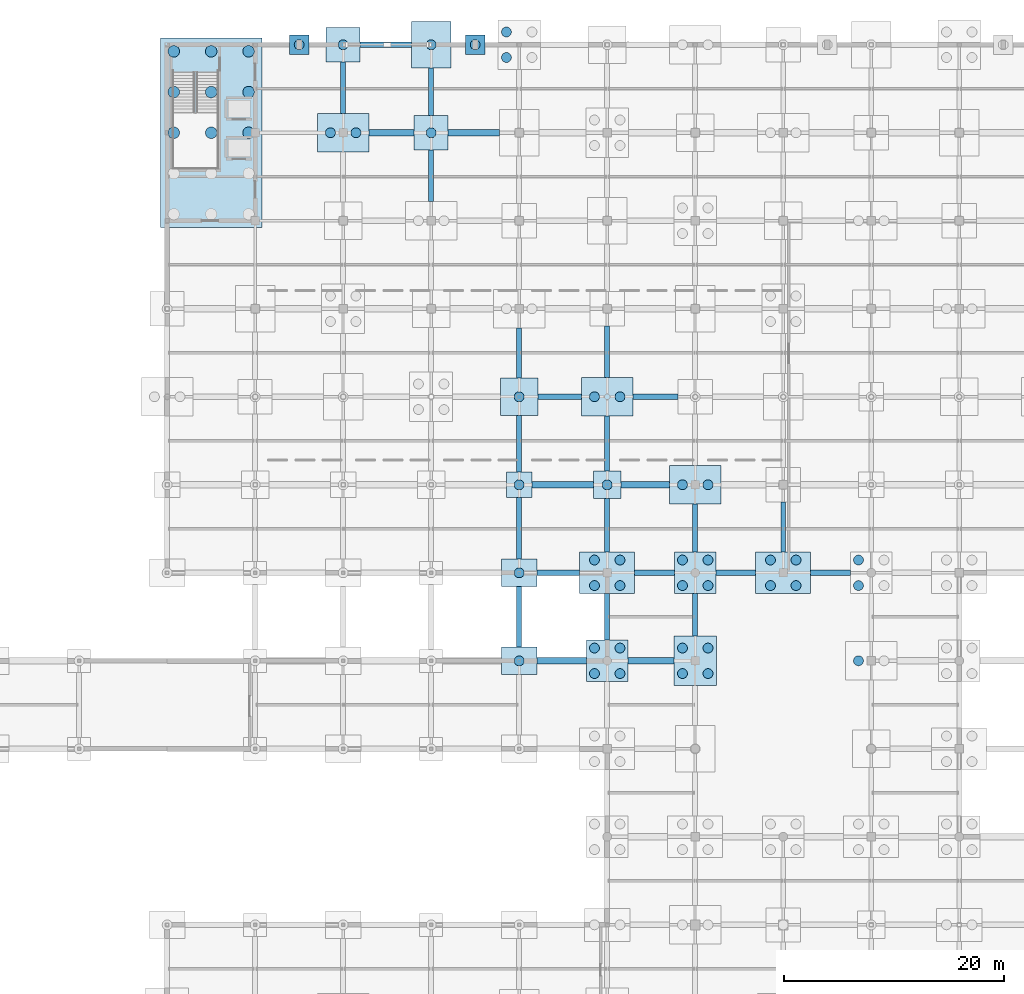
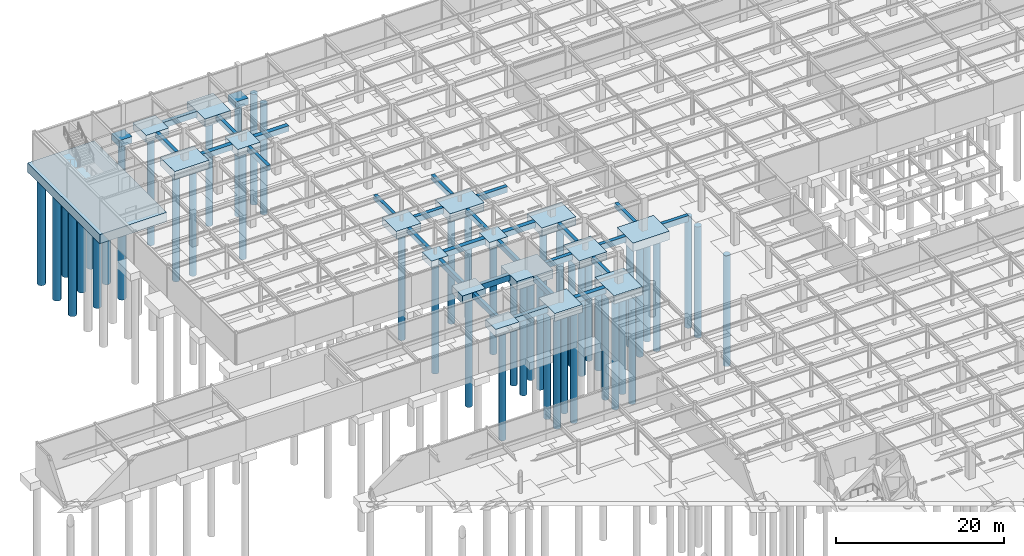
# One storey, part 6 of 105: 50 piles, 46 footings.
"""IFC4 building model written with IfcOpenShell, lengths in metres."""

from ifc_helpers import new_model, si_unit, direction, frame, origin, origin_2d, place, context, subcontext, project, spatial, rectangle, circle, extrude, material, material_profile, profile_set, type_object, element, save


model = new_model("IFC4")

# Units and contexts
model_context = context("Model", 3, precision=1e-05, world=origin(), true_north=direction((0.0, 1.0)))
body_context = subcontext(model_context, "Body", "Model", "MODEL_VIEW")
ifc_project = project(units=[si_unit("LENGTHUNIT", "METRE"), si_unit("AREAUNIT", "SQUARE_METRE"), si_unit("VOLUMEUNIT", "CUBIC_METRE"), si_unit("PLANEANGLEUNIT", "RADIAN"), si_unit("MASSUNIT", "GRAM", prefix="KILO")], contexts=[model_context])

# Site, building, storey
site_placement = place(None, origin())
site = spatial("IfcSite", under=ifc_project, at=site_placement, CompositionType="ELEMENT")
building_placement = place(site_placement, origin())
building = spatial("IfcBuilding", under=site, at=building_placement, Name="Solmirada Galleria", CompositionType="ELEMENT")
storey_placement = place(building_placement, frame((0.0, 0.0, -4.800048828125)))
storey = spatial("IfcBuildingStorey", under=building, at=storey_placement, Name="B1", CompositionType="ELEMENT", Elevation=-4.800048828125)

# Footings
ifc_material_1 = material(Name="Concrete C35/45", Category="concrete")
footing_type_1 = type_object("IfcFootingType", Name="PC-02", PredefinedType="PILE_CAP", material=ifc_material_1)
footing_1_placement = place(storey_placement, frame((80.0, 80.0, -1.0), z_axis=(0.0, 0.0, 1.0), x_axis=(1.0, 0.0, 0.0)))
element("IfcFooting", 1, at=footing_1_placement, inside=storey, type_object=footing_type_1, Name="Pile cap at (80.0, 80.0)", PredefinedType="PILE_CAP", context=body_context, shape_type="SweptSolid", body=[
    extrude(rectangle(XDim=2.5, YDim=2.5, at=origin_2d()), origin(), (0.0, 0.0, 1.0), 1.0),
])
footing_type_2 = type_object("IfcFootingType", Name="PC-04", PredefinedType="PILE_CAP", material=ifc_material_1)
footing_2_placement = place(storey_placement, frame((72.0, 88.0, -1.10009765625), z_axis=(0.0, 0.0, 1.0), x_axis=(1.0, 0.0, 0.0)))
element("IfcFooting", 2, at=footing_2_placement, inside=storey, type_object=footing_type_2, Name="Pile cap at (72.0, 88.0)", PredefinedType="PILE_CAP", context=body_context, shape_type="SweptSolid", body=[
    extrude(rectangle(XDim=3.39990234375, YDim=3.39990234375, at=origin_2d()), origin(), (0.0, 0.0, 1.0), 1.10009765625),
])
footing_type_3 = type_object("IfcFootingType", Name="PC-05", PredefinedType="PILE_CAP", material=ifc_material_1)
for number, where, z_axis, x_axis, name in (
    (3, (80.0, 64.0, -1.14990234375), (0.0, 0.0, 1.0), (1.0, 0.0, 0.0), "Pile cap at (80.0, 64.0)"),
    (4, (88.0, 72.0, -1.14990234375), (0.0, 0.0, 1.0), (1.0, 0.0, 0.0), "Pile cap at (88.0, 72.0)"),
):
    element("IfcFooting", number, at=place(storey_placement, frame(where, z_axis=z_axis, x_axis=x_axis)), inside=storey, type_object=footing_type_3, Name=name, PredefinedType="PILE_CAP", context=body_context, shape_type="SweptSolid", body=[
        extrude(rectangle(XDim=3.800048828125, YDim=3.800048828125, at=origin_2d()), origin(), (0.0, 0.0, 1.0), 1.14990234375),
    ])
footing_type_4 = type_object("IfcFootingType", Name="PC-08", PredefinedType="PILE_CAP", material=ifc_material_1)
for number, where, z_axis, x_axis, name in (
    (5, (56.0, 112.0, -1.19970703125), (0.0, 0.0, 1.0), (1.0, 0.0, 0.0), "Pile cap at (56.0, 112.0)"),
    (6, (80.0, 88.0, -1.19970703125), (0.0, 0.0, 1.0), (1.0, 0.0, 0.0), "Pile cap at (80.0, 88.0)"),
    (7, (88.0, 80.0, -1.19970703125), (0.0, 0.0, 1.0), (1.0, 0.0, 0.0), "Pile cap at (88.0, 80.0)"),
):
    element("IfcFooting", number, at=place(storey_placement, frame(where, z_axis=z_axis, x_axis=x_axis)), inside=storey, type_object=footing_type_4, Name=name, PredefinedType="PILE_CAP", context=body_context, shape_type="SweptSolid", body=[
        extrude(rectangle(XDim=4.699951171875, YDim=3.5, at=origin_2d()), origin(), (0.0, 0.0, 1.0), 1.199951171875),
    ])
footing_type_5 = type_object("IfcFootingType", Name="PC-09", PredefinedType="PILE_CAP", material=ifc_material_1)
for number, where, z_axis, x_axis, name in (
    (8, (80.0, 72.0, -1.25), (0.0, 0.0, 1.0), (1.0, 0.0, 0.0), "Pile cap at (80.0, 72.0)"),
    (9, (96.0, 72.0, -1.25), (0.0, 0.0, 1.0), (1.0, 0.0, 0.0), "Pile cap at (96.0, 72.0)"),
):
    element("IfcFooting", number, at=place(storey_placement, frame(where, z_axis=z_axis, x_axis=x_axis)), inside=storey, type_object=footing_type_5, Name=name, PredefinedType="PILE_CAP", context=body_context, shape_type="SweptSolid", body=[
        extrude(rectangle(XDim=5.0, YDim=3.800048828125, at=origin_2d()), origin(), (0.0, 0.0, 1.0), 1.25),
    ])
footing_type_6 = type_object("IfcFootingType", Name="PC-10", PredefinedType="PILE_CAP", material=ifc_material_1)
for number, where, z_axis, x_axis, name in (
    (10, (72.0, 64.0, -1.10009765625), (0.0, 0.0, 1.0), (1.0, 0.0, 0.0), "Pile cap at (72.0, 64.0)"),
    (11, (72.0, 72.0, -1.10009765625), (0.0, 0.0, 1.0), (1.0, 0.0, 0.0), "Pile cap at (72.0, 72.0)"),
):
    element("IfcFooting", number, at=place(storey_placement, frame(where, z_axis=z_axis, x_axis=x_axis)), inside=storey, type_object=footing_type_6, Name=name, PredefinedType="PILE_CAP", context=body_context, shape_type="SweptSolid", body=[
        extrude(rectangle(XDim=3.199951171875, YDim=2.5, at=origin_2d()), origin(), (0.0, 0.0, 1.0), 1.10009765625),
    ])
footing_type_7 = type_object("IfcFootingType", Name="PC-11", PredefinedType="PILE_CAP", material=ifc_material_1)
footing_3_placement = place(storey_placement, frame((44.0, 112.0, -1.35009765625), z_axis=(0.0, 0.0, 1.0), x_axis=(1.0, 0.0, 0.0)))
element("IfcFooting", 12, at=footing_3_placement, inside=storey, type_object=footing_type_7, Name="Northwest Sales Core combined pile cap", PredefinedType="PILE_CAP", context=body_context, shape_type="SweptSolid", body=[
    extrude(rectangle(XDim=9.199951171875, YDim=17.199951171875, at=origin_2d()), origin(), (0.0, 0.0, 1.0), 1.35009765625),
])
footing_type_8 = type_object("IfcFootingType", Name="PC-17", PredefinedType="PILE_CAP", material=ifc_material_1)
for number, where, z_axis, x_axis, name in (
    (13, (52.0, 120.0, -0.94970703125), (0.0, 0.0, 1.0), (1.0, 0.0, 0.0), "Pilaster pile cap (52, 120)"),
    (14, (68.0, 120.0, -0.94970703125), (0.0, 0.0, 1.0), (1.0, 0.0, 0.0), "Pilaster pile cap (68, 120)"),
):
    element("IfcFooting", number, at=place(storey_placement, frame(where, z_axis=z_axis, x_axis=x_axis)), inside=storey, type_object=footing_type_8, Name=name, PredefinedType="PILE_CAP", context=body_context, shape_type="SweptSolid", body=[
        extrude(rectangle(XDim=1.800048828125, YDim=1.800048828125, at=origin_2d()), origin(), (0.0, 0.0, 1.0), 0.949951171875),
    ])
footing_type_9 = type_object("IfcFootingType", Name="PC-18", PredefinedType="PILE_CAP", material=ifc_material_1)
footing_4_placement = place(storey_placement, frame((72.0, 80.0, -1.0), z_axis=(0.0, 0.0, 1.0), x_axis=(1.0, 0.0, 0.0)))
element("IfcFooting", 15, at=footing_4_placement, inside=storey, type_object=footing_type_9, Name="Pile cap at (72.0, 80.0)", PredefinedType="PILE_CAP", context=body_context, shape_type="SweptSolid", body=[
    extrude(rectangle(XDim=2.300048828125, YDim=2.300048828125, at=origin_2d()), origin(), (0.0, 0.0, 1.0), 1.0),
])
footing_type_10 = type_object("IfcFootingType", Name="PC-20", PredefinedType="PILE_CAP", material=ifc_material_1)
for number, where, z_axis, x_axis, name in (
    (16, (56.0, 120.0, -1.0498046875), (0.0, 0.0, 1.0), (1.0, 0.0, 0.0), "Pile cap at (56.0, 120.0)"),
    (17, (64.0, 112.0, -1.0498046875), (0.0, 0.0, 1.0), (1.0, 0.0, 0.0), "Pile cap at (64.0, 112.0)"),
):
    element("IfcFooting", number, at=place(storey_placement, frame(where, z_axis=z_axis, x_axis=x_axis)), inside=storey, type_object=footing_type_10, Name=name, PredefinedType="PILE_CAP", context=body_context, shape_type="SweptSolid", body=[
        extrude(rectangle(XDim=3.10009765625, YDim=3.10009765625, at=origin_2d()), origin(), (0.0, 0.0, 1.0), 1.050048828125),
    ])
footing_type_11 = type_object("IfcFootingType", Name="PC-25", PredefinedType="PILE_CAP", material=ifc_material_1)
footing_5_placement = place(storey_placement, frame((64.0, 120.0, -1.14990234375), z_axis=(0.0, 0.0, 1.0), x_axis=(1.0, 0.0, 0.0)))
element("IfcFooting", 18, at=footing_5_placement, inside=storey, type_object=footing_type_11, Name="Pile cap at (64.0, 120.0)", PredefinedType="PILE_CAP", context=body_context, shape_type="SweptSolid", body=[
    extrude(rectangle(XDim=3.60009765625, YDim=4.199951171875, at=origin_2d()), origin(), (0.0, 0.0, 1.0), 1.14990234375),
])
footing_type_12 = type_object("IfcFootingType", Name="PC-26", PredefinedType="PILE_CAP", material=ifc_material_1)
footing_6_placement = place(storey_placement, frame((88.0, 64.0, -1.19970703125), z_axis=(0.0, 0.0, 1.0), x_axis=(1.0, 0.0, 0.0)))
element("IfcFooting", 19, at=footing_6_placement, inside=storey, type_object=footing_type_12, Name="Pile cap at (88.0, 64.0)", PredefinedType="PILE_CAP", context=body_context, shape_type="SweptSolid", body=[
    extrude(rectangle(XDim=3.89990234375, YDim=4.5, at=origin_2d()), origin(), (0.0, 0.0, 1.0), 1.199951171875),
])

# Piles
ifc_material_2 = material(Name="Concrete C40/50", Category="concrete")
ifc_material_profile_1 = material_profile(ifc_material_2, circle(Radius=0.52490234375, at=origin_2d()), Name="PILE1050")
ifc_profile_set_1 = profile_set([ifc_material_profile_1], Name="Concrete C40/50")
pile_type_1 = type_object("IfcPileType", Name="PILE-1050", PredefinedType="BORED", material=ifc_profile_set_1)
for number, where, z_axis, x_axis, name in (
    (20, (40.60009765625, 112.0, -1.25), (0.0, 0.0, -1.0), (1.0, 0.0, 0.0), "Tampa limestone bored pile C1-03"),
    (21, (40.60009765625, 115.699951171875, -1.25), (0.0, 0.0, -1.0), (1.0, 0.0, 0.0), "Tampa limestone bored pile C1-04"),
    (22, (40.60009765625, 119.39990234375, -1.25), (0.0, 0.0, -1.0), (1.0, 0.0, 0.0), "Tampa limestone bored pile C1-05"),
    (23, (44.0, 112.0, -1.25), (0.0, 0.0, -1.0), (1.0, 0.0, 0.0), "Tampa limestone bored pile C1-08"),
    (24, (44.0, 115.699951171875, -1.25), (0.0, 0.0, -1.0), (1.0, 0.0, 0.0), "Tampa limestone bored pile C1-09"),
    (25, (44.0, 119.39990234375, -1.25), (0.0, 0.0, -1.0), (1.0, 0.0, 0.0), "Tampa limestone bored pile C1-10"),
    (26, (47.39990234375, 112.0, -1.25), (0.0, 0.0, -1.0), (1.0, 0.0, 0.0), "Tampa limestone bored pile C1-13"),
    (27, (47.39990234375, 115.699951171875, -1.25), (0.0, 0.0, -1.0), (1.0, 0.0, 0.0), "Tampa limestone bored pile C1-14"),
    (28, (47.39990234375, 119.39990234375, -1.25), (0.0, 0.0, -1.0), (1.0, 0.0, 0.0), "Tampa limestone bored pile C1-15"),
):
    element("IfcPile", number, at=place(storey_placement, frame(where, z_axis=z_axis, x_axis=x_axis)), inside=storey, type_object=pile_type_1, Name=name, PredefinedType="BORED", context=body_context, shape_type="SweptSolid", body=[
        extrude(circle(Radius=0.52490234375, at=origin_2d()), origin(), (0.0, 0.0, 1.0), 15.949951171875),
    ])
ifc_material_profile_2 = material_profile(ifc_material_2, circle(Radius=0.449951171875, at=origin_2d()), Name="PILE900")
ifc_profile_set_2 = profile_set([ifc_material_profile_2], Name="Concrete C40/50")
pile_type_2 = type_object("IfcPileType", Name="PILE-900", PredefinedType="BORED", material=ifc_profile_set_2)
for number, where, z_axis, x_axis, name in (
    (29, (52.0, 120.0, -0.849853515625), (0.0, 0.0, -1.0), (1.0, 0.0, 0.0), "Pilaster bored pile (52, 120)"),
    (30, (68.0, 120.0, -0.849853515625), (0.0, 0.0, -1.0), (1.0, 0.0, 0.0), "Pilaster bored pile (68, 120)"),
):
    element("IfcPile", number, at=place(storey_placement, frame(where, z_axis=z_axis, x_axis=x_axis)), inside=storey, type_object=pile_type_2, Name=name, PredefinedType="BORED", context=body_context, shape_type="SweptSolid", body=[
        extrude(circle(Radius=0.449951171875, at=origin_2d()), origin(), (0.0, 0.0, 1.0), 16.35009765625),
    ])
for number, where, z_axis, x_axis, name in (
    (31, (54.840087890625, 112.0, -1.099853515625), (0.0, 0.0, -1.0), (1.0, 0.0, 0.0), "Bored pile at (54.84, 112.00)"),
    (32, (57.159912109375, 112.0, -1.099853515625), (0.0, 0.0, -1.0), (1.0, 0.0, 0.0), "Bored pile at (57.16, 112.00)"),
):
    element("IfcPile", number, at=place(storey_placement, frame(where, z_axis=z_axis, x_axis=x_axis)), inside=storey, type_object=pile_type_2, Name=name, PredefinedType="BORED", context=body_context, shape_type="SweptSolid", body=[
        extrude(circle(Radius=0.449951171875, at=origin_2d()), origin(), (0.0, 0.0, 1.0), 16.10009765625),
    ])
for number, where, z_axis, x_axis, name in (
    (33, (56.0, 120.0, -0.949951171875), (0.0, 0.0, -1.0), (1.0, 0.0, 0.0), "Bored pile at (56.00, 120.00)"),
    (34, (64.0, 112.0, -0.949951171875), (0.0, 0.0, -1.0), (1.0, 0.0, 0.0), "Bored pile at (64.00, 112.00)"),
):
    element("IfcPile", number, at=place(storey_placement, frame(where, z_axis=z_axis, x_axis=x_axis)), inside=storey, type_object=pile_type_2, Name=name, PredefinedType="BORED", context=body_context, shape_type="SweptSolid", body=[
        extrude(circle(Radius=0.449951171875, at=origin_2d()), origin(), (0.0, 0.0, 1.0), 16.25),
    ])
pile_1_placement = place(storey_placement, frame((64.0, 120.0, -1.050048828125), z_axis=(0.0, 0.0, -1.0), x_axis=(1.0, 0.0, 0.0)))
element("IfcPile", 35, at=pile_1_placement, inside=storey, type_object=pile_type_2, Name="Bored pile at (64.00, 120.00)", PredefinedType="BORED", context=body_context, shape_type="SweptSolid", body=[
    extrude(circle(Radius=0.449951171875, at=origin_2d()), origin(), (0.0, 0.0, 1.0), 16.14990234375),
])
for number, where, z_axis, x_axis, name in (
    (36, (72.0, 64.0, -1.0), (0.0, 0.0, -1.0), (1.0, 0.0, 0.0), "Bored pile at (72.00, 64.00)"),
    (37, (72.0, 72.0, -1.0), (0.0, 0.0, -1.0), (1.0, 0.0, 0.0), "Bored pile at (72.00, 72.00)"),
):
    element("IfcPile", number, at=place(storey_placement, frame(where, z_axis=z_axis, x_axis=x_axis)), inside=storey, type_object=pile_type_2, Name=name, PredefinedType="BORED", context=body_context, shape_type="SweptSolid", body=[
        extrude(circle(Radius=0.449951171875, at=origin_2d()), origin(), (0.0, 0.0, 1.0), 16.199951171875),
    ])
pile_2_placement = place(storey_placement, frame((72.0, 80.0, -0.89990234375), z_axis=(0.0, 0.0, -1.0), x_axis=(1.0, 0.0, 0.0)))
element("IfcPile", 38, at=pile_2_placement, inside=storey, type_object=pile_type_2, Name="Bored pile at (72.00, 80.00)", PredefinedType="BORED", context=body_context, shape_type="SweptSolid", body=[
    extrude(circle(Radius=0.449951171875, at=origin_2d()), origin(), (0.0, 0.0, 1.0), 16.300048828125),
])
pile_3_placement = place(storey_placement, frame((72.0, 88.0, -1.0), z_axis=(0.0, 0.0, -1.0), x_axis=(1.0, 0.0, 0.0)))
element("IfcPile", 39, at=pile_3_placement, inside=storey, type_object=pile_type_2, Name="Bored pile at (72.00, 88.00)", PredefinedType="BORED", context=body_context, shape_type="SweptSolid", body=[
    extrude(circle(Radius=0.449951171875, at=origin_2d()), origin(), (0.0, 0.0, 1.0), 16.199951171875),
])
for number, where, z_axis, x_axis, name in (
    (40, (70.840087890625, 118.840087890625, -1.099853515625), (0.0, 0.0, -1.0), (1.0, 0.0, 0.0), "Bored pile at (70.84, 118.84)"),
    (41, (70.840087890625, 121.159912109375, -1.099853515625), (0.0, 0.0, -1.0), (1.0, 0.0, 0.0), "Bored pile at (70.84, 121.16)"),
):
    element("IfcPile", number, at=place(storey_placement, frame(where, z_axis=z_axis, x_axis=x_axis)), inside=storey, type_object=pile_type_2, Name=name, PredefinedType="BORED", context=body_context, shape_type="SweptSolid", body=[
        extrude(circle(Radius=0.449951171875, at=origin_2d()), origin(), (0.0, 0.0, 1.0), 16.10009765625),
    ])
for number, where, z_axis, x_axis, name in (
    (42, (78.840087890625, 62.840087890625, -1.050048828125), (0.0, 0.0, -1.0), (1.0, 0.0, 0.0), "Bored pile at (78.84, 62.84)"),
    (43, (81.159912109375, 62.840087890625, -1.050048828125), (0.0, 0.0, -1.0), (1.0, 0.0, 0.0), "Bored pile at (81.16, 62.84)"),
    (44, (78.840087890625, 65.159912109375, -1.050048828125), (0.0, 0.0, -1.0), (1.0, 0.0, 0.0), "Bored pile at (78.84, 65.16)"),
    (45, (81.159912109375, 65.159912109375, -1.050048828125), (0.0, 0.0, -1.0), (1.0, 0.0, 0.0), "Bored pile at (81.16, 65.16)"),
):
    element("IfcPile", number, at=place(storey_placement, frame(where, z_axis=z_axis, x_axis=x_axis)), inside=storey, type_object=pile_type_2, Name=name, PredefinedType="BORED", context=body_context, shape_type="SweptSolid", body=[
        extrude(circle(Radius=0.449951171875, at=origin_2d()), origin(), (0.0, 0.0, 1.0), 16.14990234375),
    ])
for number, where, z_axis, x_axis, name in (
    (46, (78.840087890625, 70.840087890625, -1.14990234375), (0.0, 0.0, -1.0), (1.0, 0.0, 0.0), "Bored pile at (78.84, 70.84)"),
    (47, (81.159912109375, 70.840087890625, -1.14990234375), (0.0, 0.0, -1.0), (1.0, 0.0, 0.0), "Bored pile at (81.16, 70.84)"),
    (48, (78.840087890625, 73.159912109375, -1.14990234375), (0.0, 0.0, -1.0), (1.0, 0.0, 0.0), "Bored pile at (78.84, 73.16)"),
    (49, (81.159912109375, 73.159912109375, -1.14990234375), (0.0, 0.0, -1.0), (1.0, 0.0, 0.0), "Bored pile at (81.16, 73.16)"),
):
    element("IfcPile", number, at=place(storey_placement, frame(where, z_axis=z_axis, x_axis=x_axis)), inside=storey, type_object=pile_type_2, Name=name, PredefinedType="BORED", context=body_context, shape_type="SweptSolid", body=[
        extrude(circle(Radius=0.449951171875, at=origin_2d()), origin(), (0.0, 0.0, 1.0), 16.050048828125),
    ])
pile_4_placement = place(storey_placement, frame((80.0, 80.0, -0.89990234375), z_axis=(0.0, 0.0, -1.0), x_axis=(1.0, 0.0, 0.0)))
element("IfcPile", 50, at=pile_4_placement, inside=storey, type_object=pile_type_2, Name="Bored pile at (80.00, 80.00)", PredefinedType="BORED", context=body_context, shape_type="SweptSolid", body=[
    extrude(circle(Radius=0.449951171875, at=origin_2d()), origin(), (0.0, 0.0, 1.0), 16.300048828125),
])
for number, where, z_axis, x_axis, name in (
    (51, (78.840087890625, 88.0, -1.099853515625), (0.0, 0.0, -1.0), (1.0, 0.0, 0.0), "Bored pile at (78.84, 88.00)"),
    (52, (81.159912109375, 88.0, -1.099853515625), (0.0, 0.0, -1.0), (1.0, 0.0, 0.0), "Bored pile at (81.16, 88.00)"),
    (53, (86.840087890625, 62.840087890625, -1.099853515625), (0.0, 0.0, -1.0), (1.0, 0.0, 0.0), "Bored pile at (86.84, 62.84)"),
    (54, (89.159912109375, 62.840087890625, -1.099853515625), (0.0, 0.0, -1.0), (1.0, 0.0, 0.0), "Bored pile at (89.16, 62.84)"),
    (55, (86.840087890625, 65.159912109375, -1.099853515625), (0.0, 0.0, -1.0), (1.0, 0.0, 0.0), "Bored pile at (86.84, 65.16)"),
    (56, (89.159912109375, 65.159912109375, -1.099853515625), (0.0, 0.0, -1.0), (1.0, 0.0, 0.0), "Bored pile at (89.16, 65.16)"),
):
    element("IfcPile", number, at=place(storey_placement, frame(where, z_axis=z_axis, x_axis=x_axis)), inside=storey, type_object=pile_type_2, Name=name, PredefinedType="BORED", context=body_context, shape_type="SweptSolid", body=[
        extrude(circle(Radius=0.449951171875, at=origin_2d()), origin(), (0.0, 0.0, 1.0), 16.10009765625),
    ])
for number, where, z_axis, x_axis, name in (
    (57, (86.840087890625, 70.840087890625, -1.050048828125), (0.0, 0.0, -1.0), (1.0, 0.0, 0.0), "Bored pile at (86.84, 70.84)"),
    (58, (89.159912109375, 70.840087890625, -1.050048828125), (0.0, 0.0, -1.0), (1.0, 0.0, 0.0), "Bored pile at (89.16, 70.84)"),
    (59, (86.840087890625, 73.159912109375, -1.050048828125), (0.0, 0.0, -1.0), (1.0, 0.0, 0.0), "Bored pile at (86.84, 73.16)"),
    (60, (89.159912109375, 73.159912109375, -1.050048828125), (0.0, 0.0, -1.0), (1.0, 0.0, 0.0), "Bored pile at (89.16, 73.16)"),
):
    element("IfcPile", number, at=place(storey_placement, frame(where, z_axis=z_axis, x_axis=x_axis)), inside=storey, type_object=pile_type_2, Name=name, PredefinedType="BORED", context=body_context, shape_type="SweptSolid", body=[
        extrude(circle(Radius=0.449951171875, at=origin_2d()), origin(), (0.0, 0.0, 1.0), 16.14990234375),
    ])
for number, where, z_axis, x_axis, name in (
    (61, (86.840087890625, 80.0, -1.099853515625), (0.0, 0.0, -1.0), (1.0, 0.0, 0.0), "Bored pile at (86.84, 80.00)"),
    (62, (89.159912109375, 80.0, -1.099853515625), (0.0, 0.0, -1.0), (1.0, 0.0, 0.0), "Bored pile at (89.16, 80.00)"),
):
    element("IfcPile", number, at=place(storey_placement, frame(where, z_axis=z_axis, x_axis=x_axis)), inside=storey, type_object=pile_type_2, Name=name, PredefinedType="BORED", context=body_context, shape_type="SweptSolid", body=[
        extrude(circle(Radius=0.449951171875, at=origin_2d()), origin(), (0.0, 0.0, 1.0), 16.10009765625),
    ])
for number, where, z_axis, x_axis, name in (
    (63, (94.840087890625, 70.840087890625, -1.14990234375), (0.0, 0.0, -1.0), (1.0, 0.0, 0.0), "Bored pile at (94.84, 70.84)"),
    (64, (97.159912109375, 70.840087890625, -1.14990234375), (0.0, 0.0, -1.0), (1.0, 0.0, 0.0), "Bored pile at (97.16, 70.84)"),
    (65, (94.840087890625, 73.159912109375, -1.14990234375), (0.0, 0.0, -1.0), (1.0, 0.0, 0.0), "Bored pile at (94.84, 73.16)"),
    (66, (97.159912109375, 73.159912109375, -1.14990234375), (0.0, 0.0, -1.0), (1.0, 0.0, 0.0), "Bored pile at (97.16, 73.16)"),
):
    element("IfcPile", number, at=place(storey_placement, frame(where, z_axis=z_axis, x_axis=x_axis)), inside=storey, type_object=pile_type_2, Name=name, PredefinedType="BORED", context=body_context, shape_type="SweptSolid", body=[
        extrude(circle(Radius=0.449951171875, at=origin_2d()), origin(), (0.0, 0.0, 1.0), 16.050048828125),
    ])
pile_5_placement = place(storey_placement, frame((102.840087890625, 64.0, -1.099853515625), z_axis=(0.0, 0.0, -1.0), x_axis=(1.0, 0.0, 0.0)))
element("IfcPile", 67, at=pile_5_placement, inside=storey, type_object=pile_type_2, Name="Bored pile at (102.84, 64.00)", PredefinedType="BORED", context=body_context, shape_type="SweptSolid", body=[
    extrude(circle(Radius=0.449951171875, at=origin_2d()), origin(), (0.0, 0.0, 1.0), 16.10009765625),
])
for number, where, z_axis, x_axis, name in (
    (68, (102.840087890625, 70.840087890625, -1.050048828125), (0.0, 0.0, -1.0), (1.0, 0.0, 0.0), "Bored pile at (102.84, 70.84)"),
    (69, (102.840087890625, 73.159912109375, -1.050048828125), (0.0, 0.0, -1.0), (1.0, 0.0, 0.0), "Bored pile at (102.84, 73.16)"),
):
    element("IfcPile", number, at=place(storey_placement, frame(where, z_axis=z_axis, x_axis=x_axis)), inside=storey, type_object=pile_type_2, Name=name, PredefinedType="BORED", context=body_context, shape_type="SweptSolid", body=[
        extrude(circle(Radius=0.449951171875, at=origin_2d()), origin(), (0.0, 0.0, 1.0), 16.14990234375),
    ])

# Footings
ifc_material_profile_3 = material_profile(ifc_material_1, rectangle(XDim=0.449951171875, YDim=0.75, at=origin_2d()), Name="RC750X450")
ifc_profile_set_3 = profile_set([ifc_material_profile_3], Name="Concrete C35/45")
footing_type_13 = type_object("IfcFootingType", Name="TB-750X450", PredefinedType="FOOTING_BEAM", material=ifc_profile_set_3)
for number, where, z_axis, x_axis, name in (
    (70, (56.0, 113.75, -0.375), (0.0, 1.0, 0.0), (-1.0, 0.0, 0.0), "Foundation tie beam Y (56, 112..120)"),
    (71, (64.0, 105.75, -0.375), (0.0, 1.0, 0.0), (-1.0, 0.0, 0.0), "Foundation tie beam Y (64, 104..112)"),
):
    element("IfcFooting", number, at=place(storey_placement, frame(where, z_axis=z_axis, x_axis=x_axis)), inside=storey, type_object=footing_type_13, Name=name, PredefinedType="FOOTING_BEAM", context=body_context, shape_type="SweptSolid", body=[
        extrude(rectangle(XDim=0.449951171875, YDim=0.75, at=origin_2d()), origin(), (0.0, 0.0, 1.0), 4.699951171875),
    ])
footing_7_placement = place(storey_placement, frame((64.0, 113.550048828125, -0.375), z_axis=(0.0, 1.0, 0.0), x_axis=(-1.0, 0.0, 0.0)))
element("IfcFooting", 72, at=footing_7_placement, inside=storey, type_object=footing_type_13, Name="Foundation tie beam Y (64, 112..120)", PredefinedType="FOOTING_BEAM", context=body_context, shape_type="SweptSolid", body=[
    extrude(rectangle(XDim=0.449951171875, YDim=0.75, at=origin_2d()), origin(), (0.0, 0.0, 1.0), 4.349853515625),
])
footing_8_placement = place(storey_placement, frame((72.0, 65.25, -0.375), z_axis=(0.0, 1.0, 0.0), x_axis=(-1.0, 0.0, 0.0)))
element("IfcFooting", 73, at=footing_8_placement, inside=storey, type_object=footing_type_13, Name="Foundation tie beam Y (72, 64..72)", PredefinedType="FOOTING_BEAM", context=body_context, shape_type="SweptSolid", body=[
    extrude(rectangle(XDim=0.449951171875, YDim=0.75, at=origin_2d()), origin(), (0.0, 0.0, 1.0), 5.5),
])
footing_9_placement = place(storey_placement, frame((72.0, 73.25, -0.375), z_axis=(0.0, 1.0, 0.0), x_axis=(-1.0, 0.0, 0.0)))
element("IfcFooting", 74, at=footing_9_placement, inside=storey, type_object=footing_type_13, Name="Foundation tie beam Y (72, 72..80)", PredefinedType="FOOTING_BEAM", context=body_context, shape_type="SweptSolid", body=[
    extrude(rectangle(XDim=0.449951171875, YDim=0.75, at=origin_2d()), origin(), (0.0, 0.0, 1.0), 5.60009765625),
])
footing_10_placement = place(storey_placement, frame((72.0, 81.14990234375, -0.375), z_axis=(0.0, 1.0, 0.0), x_axis=(-1.0, 0.0, 0.0)))
element("IfcFooting", 75, at=footing_10_placement, inside=storey, type_object=footing_type_13, Name="Foundation tie beam Y (72, 80..88)", PredefinedType="FOOTING_BEAM", context=body_context, shape_type="SweptSolid", body=[
    extrude(rectangle(XDim=0.449951171875, YDim=0.75, at=origin_2d()), origin(), (0.0, 0.0, 1.0), 5.150146484375),
])
footing_11_placement = place(storey_placement, frame((72.0, 89.699951171875, -0.375), z_axis=(0.0, 1.0, 0.0), x_axis=(-1.0, 0.0, 0.0)))
element("IfcFooting", 76, at=footing_11_placement, inside=storey, type_object=footing_type_13, Name="Foundation tie beam Y (72, 88..96)", PredefinedType="FOOTING_BEAM", context=body_context, shape_type="SweptSolid", body=[
    extrude(rectangle(XDim=0.449951171875, YDim=0.75, at=origin_2d()), origin(), (0.0, 0.0, 1.0), 4.550048828125),
])
footing_12_placement = place(storey_placement, frame((80.0, 65.89990234375, -0.375), z_axis=(0.0, 1.0, 0.0), x_axis=(-1.0, 0.0, 0.0)))
element("IfcFooting", 77, at=footing_12_placement, inside=storey, type_object=footing_type_13, Name="Foundation tie beam Y (80, 64..72)", PredefinedType="FOOTING_BEAM", context=body_context, shape_type="SweptSolid", body=[
    extrude(rectangle(XDim=0.449951171875, YDim=0.75, at=origin_2d()), origin(), (0.0, 0.0, 1.0), 4.2001953125),
])
footing_13_placement = place(storey_placement, frame((80.0, 73.89990234375, -0.375), z_axis=(0.0, 1.0, 0.0), x_axis=(-1.0, 0.0, 0.0)))
element("IfcFooting", 78, at=footing_13_placement, inside=storey, type_object=footing_type_13, Name="Foundation tie beam Y (80, 72..80)", PredefinedType="FOOTING_BEAM", context=body_context, shape_type="SweptSolid", body=[
    extrude(rectangle(XDim=0.449951171875, YDim=0.75, at=origin_2d()), origin(), (0.0, 0.0, 1.0), 4.85009765625),
])
footing_14_placement = place(storey_placement, frame((80.0, 81.25, -0.375), z_axis=(0.0, 1.0, 0.0), x_axis=(-1.0, 0.0, 0.0)))
element("IfcFooting", 79, at=footing_14_placement, inside=storey, type_object=footing_type_13, Name="Foundation tie beam Y (80, 80..88)", PredefinedType="FOOTING_BEAM", context=body_context, shape_type="SweptSolid", body=[
    extrude(rectangle(XDim=0.449951171875, YDim=0.75, at=origin_2d()), origin(), (0.0, 0.0, 1.0), 5.0),
])
footing_15_placement = place(storey_placement, frame((80.0, 89.75, -0.375), z_axis=(0.0, 1.0, 0.0), x_axis=(-1.0, 0.0, 0.0)))
element("IfcFooting", 80, at=footing_15_placement, inside=storey, type_object=footing_type_13, Name="Foundation tie beam Y (80, 88..96)", PredefinedType="FOOTING_BEAM", context=body_context, shape_type="SweptSolid", body=[
    extrude(rectangle(XDim=0.449951171875, YDim=0.75, at=origin_2d()), origin(), (0.0, 0.0, 1.0), 4.699951171875),
])
footing_16_placement = place(storey_placement, frame((88.0, 66.25, -0.375), z_axis=(0.0, 1.0, 0.0), x_axis=(-1.0, 0.0, 0.0)))
element("IfcFooting", 81, at=footing_16_placement, inside=storey, type_object=footing_type_13, Name="Foundation tie beam Y (88, 64..72)", PredefinedType="FOOTING_BEAM", context=body_context, shape_type="SweptSolid", body=[
    extrude(rectangle(XDim=0.449951171875, YDim=0.75, at=origin_2d()), origin(), (0.0, 0.0, 1.0), 3.85009765625),
])
footing_17_placement = place(storey_placement, frame((88.0, 73.89990234375, -0.375), z_axis=(0.0, 1.0, 0.0), x_axis=(-1.0, 0.0, 0.0)))
element("IfcFooting", 82, at=footing_17_placement, inside=storey, type_object=footing_type_13, Name="Foundation tie beam Y (88, 72..80)", PredefinedType="FOOTING_BEAM", context=body_context, shape_type="SweptSolid", body=[
    extrude(rectangle(XDim=0.449951171875, YDim=0.75, at=origin_2d()), origin(), (0.0, 0.0, 1.0), 4.35009765625),
])
footing_18_placement = place(storey_placement, frame((96.0, 73.89990234375, -0.375), z_axis=(0.0, 1.0, 0.0), x_axis=(-1.0, 0.0, 0.0)))
element("IfcFooting", 83, at=footing_18_placement, inside=storey, type_object=footing_type_13, Name="Foundation tie beam Y (96, 72..80)", PredefinedType="FOOTING_BEAM", context=body_context, shape_type="SweptSolid", body=[
    extrude(rectangle(XDim=0.449951171875, YDim=0.75, at=origin_2d()), origin(), (0.0, 0.0, 1.0), 4.550048828125),
])
ifc_material_profile_4 = material_profile(ifc_material_1, rectangle(XDim=0.60009765625, YDim=0.800048828125, at=origin_2d()), Name="RC800X600")
ifc_profile_set_4 = profile_set([ifc_material_profile_4], Name="Concrete C35/45")
footing_type_14 = type_object("IfcFootingType", Name="TB-800X600", PredefinedType="FOOTING_BEAM", material=ifc_profile_set_4)
footing_19_placement = place(storey_placement, frame((58.35009765625, 112.0, -0.39990234375), z_axis=(1.0, 0.0, 0.0), x_axis=(0.0, 1.0, 0.0)))
element("IfcFooting", 84, at=footing_19_placement, inside=storey, type_object=footing_type_14, Name="Foundation tie beam X (56..64, 112)", PredefinedType="FOOTING_BEAM", context=body_context, shape_type="SweptSolid", body=[
    extrude(rectangle(XDim=0.60009765625, YDim=0.800048828125, at=origin_2d()), origin(), (0.0, 0.0, 1.0), 4.099853515625),
])
footing_20_placement = place(storey_placement, frame((65.550048828125, 112.0, -0.39990234375), z_axis=(1.0, 0.0, 0.0), x_axis=(0.0, 1.0, 0.0)))
element("IfcFooting", 85, at=footing_20_placement, inside=storey, type_object=footing_type_14, Name="Foundation tie beam X (64..72, 112)", PredefinedType="FOOTING_BEAM", context=body_context, shape_type="SweptSolid", body=[
    extrude(rectangle(XDim=0.60009765625, YDim=0.800048828125, at=origin_2d()), origin(), (0.0, 0.0, 1.0), 4.64990234375),
])
footing_21_placement = place(storey_placement, frame((73.60009765625, 64.0, -0.39990234375), z_axis=(1.0, 0.0, 0.0), x_axis=(0.0, 1.0, 0.0)))
element("IfcFooting", 86, at=footing_21_placement, inside=storey, type_object=footing_type_14, Name="Foundation tie beam X (72..80, 64)", PredefinedType="FOOTING_BEAM", context=body_context, shape_type="SweptSolid", body=[
    extrude(rectangle(XDim=0.60009765625, YDim=0.800048828125, at=origin_2d()), origin(), (0.0, 0.0, 1.0), 4.5),
])
footing_22_placement = place(storey_placement, frame((73.14990234375, 80.0, -0.39990234375), z_axis=(1.0, 0.0, 0.0), x_axis=(0.0, 1.0, 0.0)))
element("IfcFooting", 87, at=footing_22_placement, inside=storey, type_object=footing_type_14, Name="Foundation tie beam X (72..80, 80)", PredefinedType="FOOTING_BEAM", context=body_context, shape_type="SweptSolid", body=[
    extrude(rectangle(XDim=0.60009765625, YDim=0.800048828125, at=origin_2d()), origin(), (0.0, 0.0, 1.0), 5.60009765625),
])
footing_23_placement = place(storey_placement, frame((81.89990234375, 64.0, -0.39990234375), z_axis=(1.0, 0.0, 0.0), x_axis=(0.0, 1.0, 0.0)))
element("IfcFooting", 88, at=footing_23_placement, inside=storey, type_object=footing_type_14, Name="Foundation tie beam X (80..88, 64)", PredefinedType="FOOTING_BEAM", context=body_context, shape_type="SweptSolid", body=[
    extrude(rectangle(XDim=0.60009765625, YDim=0.800048828125, at=origin_2d()), origin(), (0.0, 0.0, 1.0), 4.150146484375),
])
footing_24_placement = place(storey_placement, frame((81.25, 80.0, -0.39990234375), z_axis=(1.0, 0.0, 0.0), x_axis=(0.0, 1.0, 0.0)))
element("IfcFooting", 89, at=footing_24_placement, inside=storey, type_object=footing_type_14, Name="Foundation tie beam X (80..88, 80)", PredefinedType="FOOTING_BEAM", context=body_context, shape_type="SweptSolid", body=[
    extrude(rectangle(XDim=0.60009765625, YDim=0.800048828125, at=origin_2d()), origin(), (0.0, 0.0, 1.0), 4.39990234375),
])
ifc_material_profile_5 = material_profile(ifc_material_1, rectangle(XDim=0.5, YDim=0.85009765625, at=origin_2d()), Name="RC850X500")
ifc_profile_set_5 = profile_set([ifc_material_profile_5], Name="Concrete C35/45")
footing_type_15 = type_object("IfcFootingType", Name="TB-850X500", PredefinedType="FOOTING_BEAM", material=ifc_profile_set_5)
footing_25_placement = place(storey_placement, frame((57.550048828125, 120.0, -0.425048828125), z_axis=(1.0, 0.0, 0.0), x_axis=(0.0, 1.0, 0.0)))
element("IfcFooting", 90, at=footing_25_placement, inside=storey, type_object=footing_type_15, Name="Foundation tie beam X (56..64, 120)", PredefinedType="FOOTING_BEAM", context=body_context, shape_type="SweptSolid", body=[
    extrude(rectangle(XDim=0.5, YDim=0.85009765625, at=origin_2d()), origin(), (0.0, 0.0, 1.0), 4.64990234375),
])
footing_26_placement = place(storey_placement, frame((73.60009765625, 72.0, -0.425048828125), z_axis=(1.0, 0.0, 0.0), x_axis=(0.0, 1.0, 0.0)))
element("IfcFooting", 91, at=footing_26_placement, inside=storey, type_object=footing_type_15, Name="Foundation tie beam X (72..80, 72)", PredefinedType="FOOTING_BEAM", context=body_context, shape_type="SweptSolid", body=[
    extrude(rectangle(XDim=0.5, YDim=0.85009765625, at=origin_2d()), origin(), (0.0, 0.0, 1.0), 3.89990234375),
])
footing_27_placement = place(storey_placement, frame((73.699951171875, 88.0, -0.425048828125), z_axis=(1.0, 0.0, 0.0), x_axis=(0.0, 1.0, 0.0)))
element("IfcFooting", 92, at=footing_27_placement, inside=storey, type_object=footing_type_15, Name="Foundation tie beam X (72..80, 88)", PredefinedType="FOOTING_BEAM", context=body_context, shape_type="SweptSolid", body=[
    extrude(rectangle(XDim=0.5, YDim=0.85009765625, at=origin_2d()), origin(), (0.0, 0.0, 1.0), 3.949951171875),
])
footing_28_placement = place(storey_placement, frame((82.5, 72.0, -0.425048828125), z_axis=(1.0, 0.0, 0.0), x_axis=(0.0, 1.0, 0.0)))
element("IfcFooting", 93, at=footing_28_placement, inside=storey, type_object=footing_type_15, Name="Foundation tie beam X (80..88, 72)", PredefinedType="FOOTING_BEAM", context=body_context, shape_type="SweptSolid", body=[
    extrude(rectangle(XDim=0.5, YDim=0.85009765625, at=origin_2d()), origin(), (0.0, 0.0, 1.0), 3.60009765625),
])
footing_29_placement = place(storey_placement, frame((82.35009765625, 88.0, -0.425048828125), z_axis=(1.0, 0.0, 0.0), x_axis=(0.0, 1.0, 0.0)))
element("IfcFooting", 94, at=footing_29_placement, inside=storey, type_object=footing_type_15, Name="Foundation tie beam X (80..88, 88)", PredefinedType="FOOTING_BEAM", context=body_context, shape_type="SweptSolid", body=[
    extrude(rectangle(XDim=0.5, YDim=0.85009765625, at=origin_2d()), origin(), (0.0, 0.0, 1.0), 4.099853515625),
])
for number, where, z_axis, x_axis, name in (
    (95, (89.89990234375, 72.0, -0.425048828125), (1.0, 0.0, 0.0), (0.0, 1.0, 0.0), "Foundation tie beam X (88..96, 72)"),
    (96, (98.5, 72.0, -0.425048828125), (1.0, 0.0, 0.0), (0.0, 1.0, 0.0), "Foundation tie beam X (96..104, 72)"),
):
    element("IfcFooting", number, at=place(storey_placement, frame(where, z_axis=z_axis, x_axis=x_axis)), inside=storey, type_object=footing_type_15, Name=name, PredefinedType="FOOTING_BEAM", context=body_context, shape_type="SweptSolid", body=[
        extrude(rectangle(XDim=0.5, YDim=0.85009765625, at=origin_2d()), origin(), (0.0, 0.0, 1.0), 3.60009765625),
    ])

save(model, "model.ifc")
